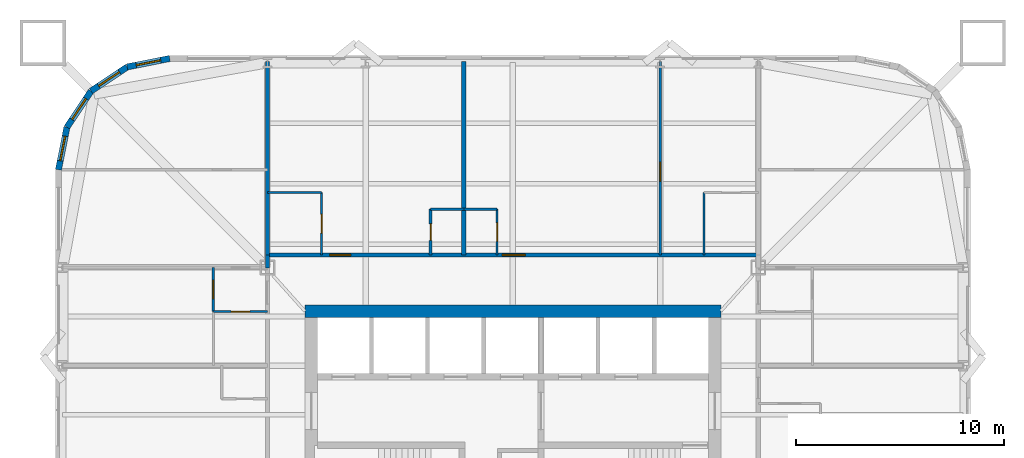
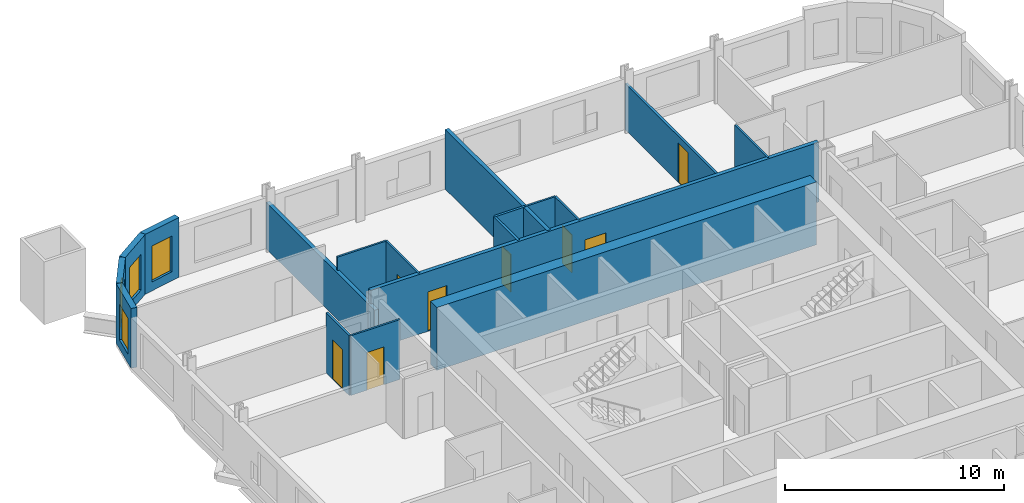
# One storey, part 7 of 10: 19 walls, 8 doors, 4 windows, 12 openings.
"""IFC4 building model written with IfcOpenShell, lengths in metres."""

from ifc_helpers import new_model, si_unit, direction, frame, frame_2d, origin, place, context, subcontext, project, spatial, rectangle, extrude, material, layer, layer_set, type_object, element, fill, save


model = new_model("IFC4")

# Units and contexts
model_context = context("Model", 3, precision=1e-05, world=origin(), true_north=direction((0.0, 1.0)))
body_context = subcontext(model_context, "Body", "Model", "MODEL_VIEW")
ifc_project = project(units=[si_unit("LENGTHUNIT", "METRE"), si_unit("AREAUNIT", "SQUARE_METRE"), si_unit("VOLUMEUNIT", "CUBIC_METRE"), si_unit("PLANEANGLEUNIT", "RADIAN"), si_unit("MASSUNIT", "GRAM", prefix="KILO")], contexts=[model_context])

# Site, building, storey
site_placement = place(None, origin())
site = spatial("IfcSite", under=ifc_project, at=site_placement, CompositionType="ELEMENT")
building_placement = place(site_placement, origin())
building = spatial("IfcBuilding", under=site, at=building_placement, Name="Turquesa Mirador Hotel Tower", CompositionType="ELEMENT")
storey_placement = place(building_placement, frame((0.0, 0.0, 46.0)))
storey = spatial("IfcBuildingStorey", under=building, at=storey_placement, Name="L11", CompositionType="ELEMENT", Elevation=46.0)

# Walls
ifc_material_1 = material(Name="Gypsum board on steel studs", Category="steel")
ifc_layer_1 = layer(ifc_material_1, 0.10009765625)
ifc_layer_set_1 = layer_set([ifc_layer_1], Name="BATHROOM WALL 100")
wall_type_1 = type_object("IfcWallType", Name="BATHROOM WALL 100", PredefinedType="PARTITIONING", material=ifc_layer_set_1)
wall_1_placement = place(storey_placement, frame((52.639892578125, 59.60009765625, 0.0), z_axis=(0.0, 0.0, 1.0), x_axis=(1.0, 0.0, 0.0)))
element("IfcWall", 1, at=wall_1_placement, inside=storey, type_object=wall_type_1, Name="Partition L11 023", PredefinedType="PARTITIONING", context=body_context, shape_type="SweptSolid", body=[
    extrude(rectangle(XDim=1.60009765625, YDim=0.10009765625, at=frame_2d((0.800048828125, 0.0))), origin(), (0.0, 0.0, 1.0), 3.330078125),
])
wall_2_placement = place(storey_placement, frame((43.199951171875, 60.39990234375, 0.0), z_axis=(0.0, 0.0, 1.0), x_axis=(1.0, 0.0, 0.0)))
element("IfcWall", 2, at=wall_2_placement, inside=storey, type_object=wall_type_1, Name="Partition L11 025", PredefinedType="PARTITIONING", context=body_context, shape_type="SweptSolid", body=[
    extrude(rectangle(XDim=2.60009765625, YDim=0.10009765625, at=frame_2d((1.300048828125, 0.0))), origin(), (0.0, 0.0, 1.0), 3.330078125),
])

# Wall, opening, door
wall_3_placement = place(storey_placement, frame((40.60009765625, 54.679931640625, 0.0), z_axis=(0.0, 0.0, 1.0), x_axis=(1.0, 0.0, 0.0)))
wall_3 = element("IfcWall", 3, at=wall_3_placement, inside=storey, type_object=wall_type_1, Name="Partition L11 034", PredefinedType="PARTITIONING", context=body_context, shape_type="SweptSolid", body=[
    extrude(rectangle(XDim=2.599853515625, YDim=0.10009765625, at=frame_2d((1.2998046875, 0.0))), origin(), (0.0, 0.0, 1.0), 3.330078125),
])
opening_1_placement = place(wall_3_placement, frame((0.85009765625, 0.0, 0.0)))
opening_1 = element("IfcOpeningElement", 4, at=opening_1_placement, cuts=wall_3, Name="Opening D02", PredefinedType="OPENING", context=body_context, shape_type="SweptSolid", body=[
    extrude(rectangle(XDim=0.89990234375, YDim=2.10009765625, at=frame_2d((0.449951171875, 1.050048828125))), frame((0.0, 0.06005859375, 0.0), z_axis=(0.0, -1.0, 0.0), x_axis=(1.0, 0.0, 0.0)), (0.0, 0.0, 1.0), 0.1201171875),
])
ifc_material_2 = material(Name="Timber veneered door", Category="wood")
door_type_1 = type_object("IfcDoorType", Name="DOOR 900X2100 EN-SUITE", OperationType="SINGLE_SWING_RIGHT", PredefinedType="DOOR", material=ifc_material_2)
door_1_placement = place(opening_1_placement, origin())
door_1 = element("IfcDoor", 5, at=door_1_placement, inside=storey, type_object=door_type_1, Name="Door 1111B", OperationType="SINGLE_SWING_RIGHT", OverallHeight=2.10009765625, OverallWidth=0.89990234375, PredefinedType="DOOR", context=body_context, shape_type="SweptSolid", body=[
    extrude(rectangle(XDim=0.89990234375, YDim=2.10009765625, at=frame_2d((0.449951171875, 1.050048828125))), frame((0.0, 0.02490234375, 0.0), z_axis=(0.0, -1.0, 0.0), x_axis=(1.0, 0.0, 0.0)), (0.0, 0.0, 1.0), 0.050048828125),
])
fill(opening_1, door_1)

wall_4_placement = place(storey_placement, frame((54.239990234375, 57.39990234375, 0.0), z_axis=(0.0, 0.0, 1.0), x_axis=(0.0, 1.0, 0.0)))
wall_4 = element("IfcWall", 6, at=wall_4_placement, inside=storey, type_object=wall_type_1, Name="Partition L11 036", PredefinedType="PARTITIONING", context=body_context, shape_type="SweptSolid", body=[
    extrude(rectangle(XDim=2.2001953125, YDim=0.10009765625, at=frame_2d((1.10009765625, 0.0))), origin(), (0.0, 0.0, 1.0), 3.330078125),
])
opening_2_placement = place(wall_4_placement, frame((0.64990234375, 0.0, 0.0)))
opening_2 = element("IfcOpeningElement", 7, at=opening_2_placement, cuts=wall_4, Name="Opening D06", PredefinedType="OPENING", context=body_context, shape_type="SweptSolid", body=[
    extrude(rectangle(XDim=0.89990234375, YDim=2.10009765625, at=frame_2d((0.449951171875, 1.050048828125))), frame((0.0, 0.06005859375, 0.0), z_axis=(0.0, -1.0, 0.0), x_axis=(1.0, 0.0, 0.0)), (0.0, 0.0, 1.0), 0.1201171875),
])
ifc_material_3 = material(Name="Laminate door", Category="wood")
door_type_2 = type_object("IfcDoorType", Name="DOOR 900X2100 WC", OperationType="SINGLE_SWING_LEFT", PredefinedType="DOOR", material=ifc_material_3)
door_2_placement = place(opening_2_placement, origin())
door_2 = element("IfcDoor", 8, at=door_2_placement, inside=storey, type_object=door_type_2, Name="Door 1102W", OperationType="SINGLE_SWING_LEFT", OverallHeight=2.10009765625, OverallWidth=0.89990234375, PredefinedType="DOOR", context=body_context, shape_type="SweptSolid", body=[
    extrude(rectangle(XDim=0.89990234375, YDim=2.10009765625, at=frame_2d((0.449951171875, 1.050048828125))), frame((0.0, 0.02490234375, 0.0), z_axis=(0.0, -1.0, 0.0), x_axis=(1.0, 0.0, 0.0)), (0.0, 0.0, 1.0), 0.050048828125),
])
fill(opening_2, door_2)

wall_5_placement = place(storey_placement, frame((45.800048828125, 57.39990234375, 0.0), z_axis=(0.0, 0.0, 1.0), x_axis=(0.0, 1.0, 0.0)))
wall_5 = element("IfcWall", 9, at=wall_5_placement, inside=storey, type_object=wall_type_1, Name="Partition L11 050", PredefinedType="PARTITIONING", context=body_context, shape_type="SweptSolid", body=[
    extrude(rectangle(XDim=3.0, YDim=0.10009765625, at=frame_2d((1.5, 0.0))), origin(), (0.0, 0.0, 1.0), 3.330078125),
])
opening_3_placement = place(wall_5_placement, frame((1.050048828125, 0.0, 0.0)))
opening_3 = element("IfcOpeningElement", 10, at=opening_3_placement, cuts=wall_5, Name="Opening D02", PredefinedType="OPENING", context=body_context, shape_type="SweptSolid", body=[
    extrude(rectangle(XDim=0.89990234375, YDim=2.10009765625, at=frame_2d((0.449951171875, 1.050048828125))), frame((0.0, 0.06005859375, 0.0), z_axis=(0.0, -1.0, 0.0), x_axis=(1.0, 0.0, 0.0)), (0.0, 0.0, 1.0), 0.1201171875),
])
door_3_placement = place(opening_3_placement, origin())
door_3 = element("IfcDoor", 11, at=door_3_placement, inside=storey, type_object=door_type_1, Name="Door 1101B", OperationType="SINGLE_SWING_RIGHT", OverallHeight=2.10009765625, OverallWidth=0.89990234375, PredefinedType="DOOR", context=body_context, shape_type="SweptSolid", body=[
    extrude(rectangle(XDim=0.89990234375, YDim=2.10009765625, at=frame_2d((0.449951171875, 1.050048828125))), frame((0.0, 0.02490234375, 0.0), z_axis=(0.0, -1.0, 0.0), x_axis=(1.0, 0.0, 0.0)), (0.0, 0.0, 1.0), 0.050048828125),
])
fill(opening_3, door_3)

# Walls
wall_6_placement = place(storey_placement, frame((64.199951171875, 57.39990234375, 0.0), z_axis=(0.0, 0.0, 1.0), x_axis=(0.0, 1.0, 0.0)))
element("IfcWall", 12, at=wall_6_placement, inside=storey, type_object=wall_type_1, Name="Partition L11 067", PredefinedType="PARTITIONING", context=body_context, shape_type="SweptSolid", body=[
    extrude(rectangle(XDim=3.0, YDim=0.10009765625, at=frame_2d((1.5, 0.0))), origin(), (0.0, 0.0, 1.0), 3.330078125),
])
ifc_material_4 = material(Name="Concrete C50/60", Category="concrete")
ifc_layer_2 = layer(ifc_material_4, 0.60009765625)
ifc_layer_set_2 = layer_set([ifc_layer_2], Name="CORE WALL 600")
wall_type_2 = type_object("IfcWallType", Name="CORE WALL 600", PredefinedType="SHEAR", material=ifc_layer_set_2)
wall_7_placement = place(storey_placement, frame((45.0, 54.699951171875, 0.0), z_axis=(0.0, 0.0, 1.0), x_axis=(1.0, 0.0, 0.0)))
element("IfcWall", 13, at=wall_7_placement, inside=storey, type_object=wall_type_2, Name="Core wall N", PredefinedType="SHEAR", context=body_context, shape_type="SweptSolid", body=[
    extrude(rectangle(XDim=20.0, YDim=0.60009765625, at=frame_2d((10.0, 0.0))), origin(), (0.0, 0.0, 1.0), 3.5),
])

# Wall, openings, doors
ifc_material_5 = material(Name="Fire-rated gypsum board on steel studs", Category="steel")
ifc_layer_3 = layer(ifc_material_5, 0.199951171875)
ifc_layer_set_3 = layer_set([ifc_layer_3], Name="CORRIDOR WALL 200")
wall_type_3 = type_object("IfcWallType", Name="CORRIDOR WALL 200", PredefinedType="PARTITIONING", material=ifc_layer_set_3)
wall_8_placement = place(storey_placement, frame((43.199951171875, 57.39990234375, 0.0), z_axis=(0.0, 0.0, 1.0), x_axis=(1.0, 0.0, 0.0)))
wall_8 = element("IfcWall", 14, at=wall_8_placement, inside=storey, type_object=wall_type_3, Name="Partition L11 022", PredefinedType="PARTITIONING", context=body_context, shape_type="SweptSolid", body=[
    extrude(rectangle(XDim=23.60009765625, YDim=0.199951171875, at=frame_2d((11.800048828125, 0.0))), origin(), (0.0, 0.0, 1.0), 3.330078125),
])
opening_4_placement = place(wall_8_placement, frame((3.0, 0.0, 0.0)))
opening_4 = element("IfcOpeningElement", 15, at=opening_4_placement, cuts=wall_8, Name="Opening D01", PredefinedType="OPENING", context=body_context, shape_type="SweptSolid", body=[
    extrude(rectangle(XDim=1.0, YDim=2.199951171875, at=frame_2d((0.5, 1.10009765625))), frame((0.0, 0.10986328125, 0.0), z_axis=(0.0, -1.0, 0.0), x_axis=(1.0, 0.0, 0.0)), (0.0, 0.0, 1.0), 0.219970703125),
])
opening_5_placement = place(wall_8_placement, frame((11.2900390625, 0.0, 0.0)))
opening_5 = element("IfcOpeningElement", 16, at=opening_5_placement, cuts=wall_8, Name="Opening D15", PredefinedType="OPENING", context=body_context, shape_type="SweptSolid", body=[
    extrude(rectangle(XDim=1.10009765625, YDim=2.199951171875, at=frame_2d((0.550048828125, 1.10009765625))), frame((0.0, 0.10986328125, 0.0), z_axis=(0.0, -1.0, 0.0), x_axis=(1.0, 0.0, 0.0)), (0.0, 0.0, 1.0), 0.219970703125),
])
ifc_material_6 = material(Name="Timber veneered fire door", Category="wood")
door_type_3 = type_object("IfcDoorType", Name="DOOR 1000X2200 GUEST ENTRY", OperationType="SINGLE_SWING_LEFT", PredefinedType="DOOR", material=ifc_material_6)
door_4_placement = place(opening_4_placement, origin())
door_4 = element("IfcDoor", 17, at=door_4_placement, inside=storey, type_object=door_type_3, Name="Door 1101", OperationType="SINGLE_SWING_LEFT", OverallHeight=2.199951171875, OverallWidth=1.0, PredefinedType="DOOR", context=body_context, shape_type="SweptSolid", body=[
    extrude(rectangle(XDim=1.0, YDim=2.199951171875, at=frame_2d((0.5, 1.10009765625))), frame((0.0, 0.02490234375, 0.0), z_axis=(0.0, -1.0, 0.0), x_axis=(1.0, 0.0, 0.0)), (0.0, 0.0, 1.0), 0.050048828125),
])
fill(opening_4, door_4)
ifc_material_7 = material(Name="Timber veneered fire door", Category="wood")
door_type_4 = type_object("IfcDoorType", Name="DOOR 1100X2200 SUITE ENTRY", OperationType="SINGLE_SWING_LEFT", PredefinedType="DOOR", material=ifc_material_7)
door_5_placement = place(opening_5_placement, origin())
door_5 = element("IfcDoor", 18, at=door_5_placement, inside=storey, type_object=door_type_4, Name="Door 1102", OperationType="SINGLE_SWING_LEFT", OverallHeight=2.199951171875, OverallWidth=1.10009765625, PredefinedType="DOOR", context=body_context, shape_type="SweptSolid", body=[
    extrude(rectangle(XDim=1.10009765625, YDim=2.199951171875, at=frame_2d((0.550048828125, 1.10009765625))), frame((0.0, 0.02490234375, 0.0), z_axis=(0.0, -1.0, 0.0), x_axis=(1.0, 0.0, 0.0)), (0.0, 0.0, 1.0), 0.050048828125),
])
fill(opening_5, door_5)

# Wall
wall_9_placement = place(storey_placement, frame((43.199951171875, 56.780029296875, 0.0), z_axis=(0.0, 0.0, 1.0), x_axis=(0.0, 1.0, 0.0)))
element("IfcWall", 19, at=wall_9_placement, inside=storey, type_object=wall_type_3, Name="Partition L11 069", PredefinedType="PARTITIONING", context=body_context, shape_type="SweptSolid", body=[
    extrude(rectangle(XDim=0.619873046875, YDim=0.199951171875, at=frame_2d((0.31005859375, 0.0))), origin(), (0.0, 0.0, 1.0), 2.572998046875),
])

# Wall, opening, window
ifc_material_8 = material(Name="Limestone cladding on concrete block", Category="masonry")
ifc_layer_4 = layer(ifc_material_8, 0.300048828125)
ifc_layer_set_4 = layer_set([ifc_layer_4], Name="FACADE WALL 300 STONE SCREEN")
wall_type_4 = type_object("IfcWallType", Name="FACADE WALL 300 STONE SCREEN", PredefinedType="SOLIDWALL", material=ifc_layer_set_4)
wall_10_placement = place(storey_placement, frame((38.5, 66.85009765625, 0.0), z_axis=(0.0, 0.0, 1.0), x_axis=(-0.980787050784, -0.195081421501, 0.0)))
wall_10 = element("IfcWall", 20, at=wall_10_placement, inside=storey, type_object=wall_type_4, Name="Facade wall L11 10", PredefinedType="SOLIDWALL", context=body_context, shape_type="SweptSolid", body=[
    extrude(rectangle(XDim=2.08740234375, YDim=0.300048828125, at=frame_2d((1.043701171875, 0.0))), origin(), (0.0, 0.0, 1.0), 3.330078125),
])
opening_6_placement = place(wall_10_placement, frame((0.443603515625, 0.0, 0.5)))
opening_6 = element("IfcOpeningElement", 21, at=opening_6_placement, cuts=wall_10, Name="Opening WN4", PredefinedType="OPENING", context=body_context, shape_type="SweptSolid", body=[
    extrude(rectangle(XDim=1.199951171875, YDim=2.0, at=frame_2d((0.60009765625, 1.0))), frame((0.0, 0.159912109375, 0.0), z_axis=(0.0, -1.0, 0.0), x_axis=(1.0, 0.0, 0.0)), (0.0, 0.0, 1.0), 0.320068359375),
])
ifc_material_9 = material(Name="Ceramic-fritted laminated glass", Category="glass")
window_type = type_object("IfcWindowType", Name="FRITTED CORNER WINDOW 1200X2000", PartitioningType="DOUBLE_PANEL_HORIZONTAL", PredefinedType="WINDOW", material=ifc_material_9)
window_1_placement = place(opening_6_placement, origin())
window_1 = element("IfcWindow", 22, at=window_1_placement, inside=storey, type_object=window_type, Name="Window L11", OverallHeight=2.0, OverallWidth=1.199951171875, PartitioningType="SINGLE_PANEL", PredefinedType="WINDOW", context=body_context, shape_type="SweptSolid", body=[
    extrude(rectangle(XDim=1.199951171875, YDim=2.0, at=frame_2d((0.60009765625, 1.0))), frame((0.0, 0.030029296875, 0.0), z_axis=(0.0, -1.0, 0.0), x_axis=(1.0, 0.0, 0.0)), (0.0, 0.0, 1.0), 0.06005859375),
])
fill(opening_6, window_1)

wall_11_placement = place(storey_placement, frame((36.45263671875, 66.44287109375, 0.0), z_axis=(0.0, 0.0, 1.0), x_axis=(-0.831420010345, -0.555644460423, 0.0)))
wall_11 = element("IfcWall", 23, at=wall_11_placement, inside=storey, type_object=wall_type_4, Name="Facade wall L11 11", PredefinedType="SOLIDWALL", context=body_context, shape_type="SweptSolid", body=[
    extrude(rectangle(XDim=2.08740234375, YDim=0.300048828125, at=frame_2d((1.043701171875, 0.0))), origin(), (0.0, 0.0, 1.0), 3.330078125),
])
opening_7_placement = place(wall_11_placement, frame((0.443603515625, 0.0, 0.5)))
opening_7 = element("IfcOpeningElement", 24, at=opening_7_placement, cuts=wall_11, Name="Opening WN4", PredefinedType="OPENING", context=body_context, shape_type="SweptSolid", body=[
    extrude(rectangle(XDim=1.199951171875, YDim=2.0, at=frame_2d((0.60009765625, 1.0))), frame((0.0, 0.159912109375, 0.0), z_axis=(0.0, -1.0, 0.0), x_axis=(1.0, 0.0, 0.0)), (0.0, 0.0, 1.0), 0.320068359375),
])
window_2_placement = place(opening_7_placement, origin())
window_2 = element("IfcWindow", 25, at=window_2_placement, inside=storey, type_object=window_type, Name="Window L11", OverallHeight=2.0, OverallWidth=1.199951171875, PartitioningType="SINGLE_PANEL", PredefinedType="WINDOW", context=body_context, shape_type="SweptSolid", body=[
    extrude(rectangle(XDim=1.199951171875, YDim=2.0, at=frame_2d((0.60009765625, 1.0))), frame((0.0, 0.030029296875, 0.0), z_axis=(0.0, -1.0, 0.0), x_axis=(1.0, 0.0, 0.0)), (0.0, 0.0, 1.0), 0.06005859375),
])
fill(opening_7, window_2)

wall_12_placement = place(storey_placement, frame((34.717041015625, 65.282958984375, 0.0), z_axis=(0.0, 0.0, 1.0), x_axis=(-0.555644460423, -0.831420010345, 0.0)))
wall_12 = element("IfcWall", 26, at=wall_12_placement, inside=storey, type_object=wall_type_4, Name="Facade wall L11 12", PredefinedType="SOLIDWALL", context=body_context, shape_type="SweptSolid", body=[
    extrude(rectangle(XDim=2.08740234375, YDim=0.300048828125, at=frame_2d((1.043701171875, 0.0))), origin(), (0.0, 0.0, 1.0), 3.330078125),
])
opening_8_placement = place(wall_12_placement, frame((0.443603515625, 0.0, 0.5)))
opening_8 = element("IfcOpeningElement", 27, at=opening_8_placement, cuts=wall_12, Name="Opening WN4", PredefinedType="OPENING", context=body_context, shape_type="SweptSolid", body=[
    extrude(rectangle(XDim=1.199951171875, YDim=2.0, at=frame_2d((0.60009765625, 1.0))), frame((0.0, 0.159912109375, 0.0), z_axis=(0.0, -1.0, 0.0), x_axis=(1.0, 0.0, 0.0)), (0.0, 0.0, 1.0), 0.320068359375),
])
window_3_placement = place(opening_8_placement, origin())
window_3 = element("IfcWindow", 28, at=window_3_placement, inside=storey, type_object=window_type, Name="Window L11", OverallHeight=2.0, OverallWidth=1.199951171875, PartitioningType="SINGLE_PANEL", PredefinedType="WINDOW", context=body_context, shape_type="SweptSolid", body=[
    extrude(rectangle(XDim=1.199951171875, YDim=2.0, at=frame_2d((0.60009765625, 1.0))), frame((0.0, 0.030029296875, 0.0), z_axis=(0.0, -1.0, 0.0), x_axis=(1.0, 0.0, 0.0)), (0.0, 0.0, 1.0), 0.06005859375),
])
fill(opening_8, window_3)

wall_13_placement = place(storey_placement, frame((33.55712890625, 63.54736328125, 0.0), z_axis=(0.0, 0.0, 1.0), x_axis=(-0.195081421501, -0.980787050784, 0.0)))
wall_13 = element("IfcWall", 29, at=wall_13_placement, inside=storey, type_object=wall_type_4, Name="Facade wall L11 13", PredefinedType="SOLIDWALL", context=body_context, shape_type="SweptSolid", body=[
    extrude(rectangle(XDim=2.08740234375, YDim=0.300048828125, at=frame_2d((1.043701171875, 0.0))), origin(), (0.0, 0.0, 1.0), 3.330078125),
])
opening_9_placement = place(wall_13_placement, frame((0.443603515625, 0.0, 0.5)))
opening_9 = element("IfcOpeningElement", 30, at=opening_9_placement, cuts=wall_13, Name="Opening WN4", PredefinedType="OPENING", context=body_context, shape_type="SweptSolid", body=[
    extrude(rectangle(XDim=1.199951171875, YDim=2.0, at=frame_2d((0.60009765625, 1.0))), frame((0.0, 0.159912109375, 0.0), z_axis=(0.0, -1.0, 0.0), x_axis=(1.0, 0.0, 0.0)), (0.0, 0.0, 1.0), 0.320068359375),
])
window_4_placement = place(opening_9_placement, origin())
window_4 = element("IfcWindow", 31, at=window_4_placement, inside=storey, type_object=window_type, Name="Window L11", OverallHeight=2.0, OverallWidth=1.199951171875, PartitioningType="SINGLE_PANEL", PredefinedType="WINDOW", context=body_context, shape_type="SweptSolid", body=[
    extrude(rectangle(XDim=1.199951171875, YDim=2.0, at=frame_2d((0.60009765625, 1.0))), frame((0.0, 0.030029296875, 0.0), z_axis=(0.0, -1.0, 0.0), x_axis=(1.0, 0.0, 0.0)), (0.0, 0.0, 1.0), 0.06005859375),
])
fill(opening_9, window_4)

# Walls
ifc_material_10 = material(Name="Fire-rated gypsum board on steel studs", Category="steel")
ifc_layer_5 = layer(ifc_material_10, 0.199951171875)
ifc_layer_set_5 = layer_set([ifc_layer_5], Name="PARTY WALL 200")
wall_type_5 = type_object("IfcWallType", Name="PARTY WALL 200", PredefinedType="PARTITIONING", material=ifc_layer_set_5)
wall_14_placement = place(storey_placement, frame((43.199951171875, 57.39990234375, 0.0), z_axis=(0.0, 0.0, 1.0), x_axis=(0.0, 1.0, 0.0)))
element("IfcWall", 32, at=wall_14_placement, inside=storey, type_object=wall_type_5, Name="Partition L11 039", PredefinedType="PARTITIONING", context=body_context, shape_type="SweptSolid", body=[
    extrude(rectangle(XDim=9.300048828125, YDim=0.199951171875, at=frame_2d((4.64990234375, 0.0))), origin(), (0.0, 0.0, 1.0), 2.572998046875),
])
wall_15_placement = place(storey_placement, frame((52.639892578125, 57.39990234375, 0.0), z_axis=(0.0, 0.0, 1.0), x_axis=(0.0, 1.0, 0.0)))
element("IfcWall", 33, at=wall_15_placement, inside=storey, type_object=wall_type_5, Name="Partition L11 046", PredefinedType="PARTITIONING", context=body_context, shape_type="SweptSolid", body=[
    extrude(rectangle(XDim=9.300048828125, YDim=0.199951171875, at=frame_2d((4.64990234375, 0.0))), origin(), (0.0, 0.0, 1.0), 3.330078125),
])
ifc_material_11 = material(Name="Acoustic gypsum board on steel studs", Category="steel")
ifc_layer_6 = layer(ifc_material_11, 0.125)
ifc_layer_set_6 = layer_set([ifc_layer_6], Name="SUITE PARTITION 125")
wall_type_6 = type_object("IfcWallType", Name="SUITE PARTITION 125", PredefinedType="PARTITIONING", material=ifc_layer_set_6)
wall_16_placement = place(storey_placement, frame((51.0400390625, 59.60009765625, 0.0), z_axis=(0.0, 0.0, 1.0), x_axis=(1.0, 0.0, 0.0)))
element("IfcWall", 34, at=wall_16_placement, inside=storey, type_object=wall_type_6, Name="Partition L11 024", PredefinedType="PARTITIONING", context=body_context, shape_type="SweptSolid", body=[
    extrude(rectangle(XDim=1.599853515625, YDim=0.125, at=frame_2d((0.7998046875, 0.0))), origin(), (0.0, 0.0, 1.0), 3.330078125),
])

# Wall, opening, door
wall_17_placement = place(storey_placement, frame((40.60009765625, 54.679931640625, 0.0), z_axis=(0.0, 0.0, 1.0), x_axis=(0.0, 1.0, 0.0)))
wall_17 = element("IfcWall", 35, at=wall_17_placement, inside=storey, type_object=wall_type_6, Name="Partition L11 044", PredefinedType="PARTITIONING", context=body_context, shape_type="SweptSolid", body=[
    extrude(rectangle(XDim=2.1201171875, YDim=0.125, at=frame_2d((1.06005859375, 0.0))), origin(), (0.0, 0.0, 1.0), 3.330078125),
])
opening_10_placement = place(wall_17_placement, frame((0.610107421875, 0.0, 0.0)))
opening_10 = element("IfcOpeningElement", 36, at=opening_10_placement, cuts=wall_17, Name="Opening D17", PredefinedType="OPENING", context=body_context, shape_type="SweptSolid", body=[
    extrude(rectangle(XDim=0.89990234375, YDim=2.199951171875, at=frame_2d((0.449951171875, 1.10009765625))), frame((0.0, 0.072509765625, 0.0), z_axis=(0.0, -1.0, 0.0), x_axis=(1.0, 0.0, 0.0)), (0.0, 0.0, 1.0), 0.14501953125),
])
ifc_material_12 = material(Name="Timber veneered door", Category="wood")
door_type_5 = type_object("IfcDoorType", Name="DOOR 900X2200 SUITE INTERNAL", OperationType="SINGLE_SWING_LEFT", PredefinedType="DOOR", material=ifc_material_12)
door_6_placement = place(opening_10_placement, origin())
door_6 = element("IfcDoor", 37, at=door_6_placement, inside=storey, type_object=door_type_5, Name="Door 1111R", OperationType="SINGLE_SWING_LEFT", OverallHeight=2.199951171875, OverallWidth=0.89990234375, PredefinedType="DOOR", context=body_context, shape_type="SweptSolid", body=[
    extrude(rectangle(XDim=0.89990234375, YDim=2.199951171875, at=frame_2d((0.449951171875, 1.10009765625))), frame((0.0, 0.02490234375, 0.0), z_axis=(0.0, -1.0, 0.0), x_axis=(1.0, 0.0, 0.0)), (0.0, 0.0, 1.0), 0.050048828125),
])
fill(opening_10, door_6)

wall_18_placement = place(storey_placement, frame((51.0400390625, 57.39990234375, 0.0), z_axis=(0.0, 0.0, 1.0), x_axis=(0.0, 1.0, 0.0)))
wall_18 = element("IfcWall", 38, at=wall_18_placement, inside=storey, type_object=wall_type_6, Name="Partition L11 047", PredefinedType="PARTITIONING", context=body_context, shape_type="SweptSolid", body=[
    extrude(rectangle(XDim=2.2001953125, YDim=0.125, at=frame_2d((1.10009765625, 0.0))), origin(), (0.0, 0.0, 1.0), 3.330078125),
])
opening_11_placement = place(wall_18_placement, frame((0.699951171875, 0.0, 0.0)))
opening_11 = element("IfcOpeningElement", 39, at=opening_11_placement, cuts=wall_18, Name="Opening D20", PredefinedType="OPENING", context=body_context, shape_type="SweptSolid", body=[
    extrude(rectangle(XDim=0.800048828125, YDim=2.10009765625, at=frame_2d((0.39990234375, 1.050048828125))), frame((0.0, 0.072509765625, 0.0), z_axis=(0.0, -1.0, 0.0), x_axis=(1.0, 0.0, 0.0)), (0.0, 0.0, 1.0), 0.14501953125),
])
ifc_material_13 = material(Name="Timber veneered sliding door", Category="wood")
door_type_6 = type_object("IfcDoorType", Name="DOOR 800X2100 WARDROBE", OperationType="SLIDING_TO_LEFT", PredefinedType="DOOR", material=ifc_material_13)
door_7_placement = place(opening_11_placement, origin())
door_7 = element("IfcDoor", 40, at=door_7_placement, inside=storey, type_object=door_type_6, Name="Door 1101W", OperationType="SLIDING_TO_LEFT", OverallHeight=2.10009765625, OverallWidth=0.800048828125, PredefinedType="DOOR", context=body_context, shape_type="SweptSolid", body=[
    extrude(rectangle(XDim=0.800048828125, YDim=2.10009765625, at=frame_2d((0.39990234375, 1.050048828125))), frame((0.0, 0.02490234375, 0.0), z_axis=(0.0, -1.0, 0.0), x_axis=(1.0, 0.0, 0.0)), (0.0, 0.0, 1.0), 0.050048828125),
])
fill(opening_11, door_7)

wall_19_placement = place(storey_placement, frame((62.080078125, 57.39990234375, 0.0), z_axis=(0.0, 0.0, 1.0), x_axis=(0.0, 1.0, 0.0)))
wall_19 = element("IfcWall", 41, at=wall_19_placement, inside=storey, type_object=wall_type_6, Name="Partition L11 065", PredefinedType="PARTITIONING", context=body_context, shape_type="SweptSolid", body=[
    extrude(rectangle(XDim=9.300048828125, YDim=0.125, at=frame_2d((4.64990234375, 0.0))), origin(), (0.0, 0.0, 1.0), 2.572998046875),
])
opening_12_placement = place(wall_19_placement, frame((3.550048828125, 0.0, 0.0)))
opening_12 = element("IfcOpeningElement", 42, at=opening_12_placement, cuts=wall_19, Name="Opening D17", PredefinedType="OPENING", context=body_context, shape_type="SweptSolid", body=[
    extrude(rectangle(XDim=0.89990234375, YDim=2.199951171875, at=frame_2d((0.449951171875, 1.10009765625))), frame((0.0, 0.072509765625, 0.0), z_axis=(0.0, -1.0, 0.0), x_axis=(1.0, 0.0, 0.0)), (0.0, 0.0, 1.0), 0.14501953125),
])
door_8_placement = place(opening_12_placement, origin())
door_8 = element("IfcDoor", 43, at=door_8_placement, inside=storey, type_object=door_type_5, Name="Door 1102R", OperationType="SINGLE_SWING_LEFT", OverallHeight=2.199951171875, OverallWidth=0.89990234375, PredefinedType="DOOR", context=body_context, shape_type="SweptSolid", body=[
    extrude(rectangle(XDim=0.89990234375, YDim=2.199951171875, at=frame_2d((0.449951171875, 1.10009765625))), frame((0.0, 0.02490234375, 0.0), z_axis=(0.0, -1.0, 0.0), x_axis=(1.0, 0.0, 0.0)), (0.0, 0.0, 1.0), 0.050048828125),
])
fill(opening_12, door_8)

save(model, "model.ifc")
